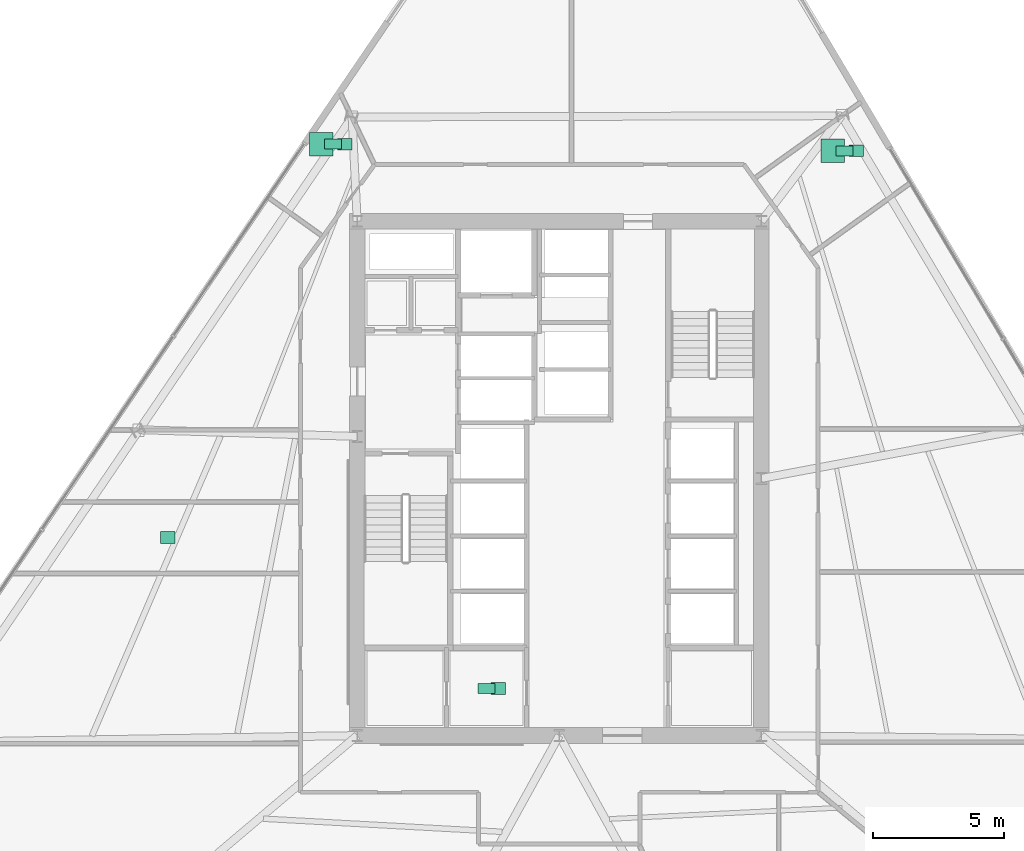
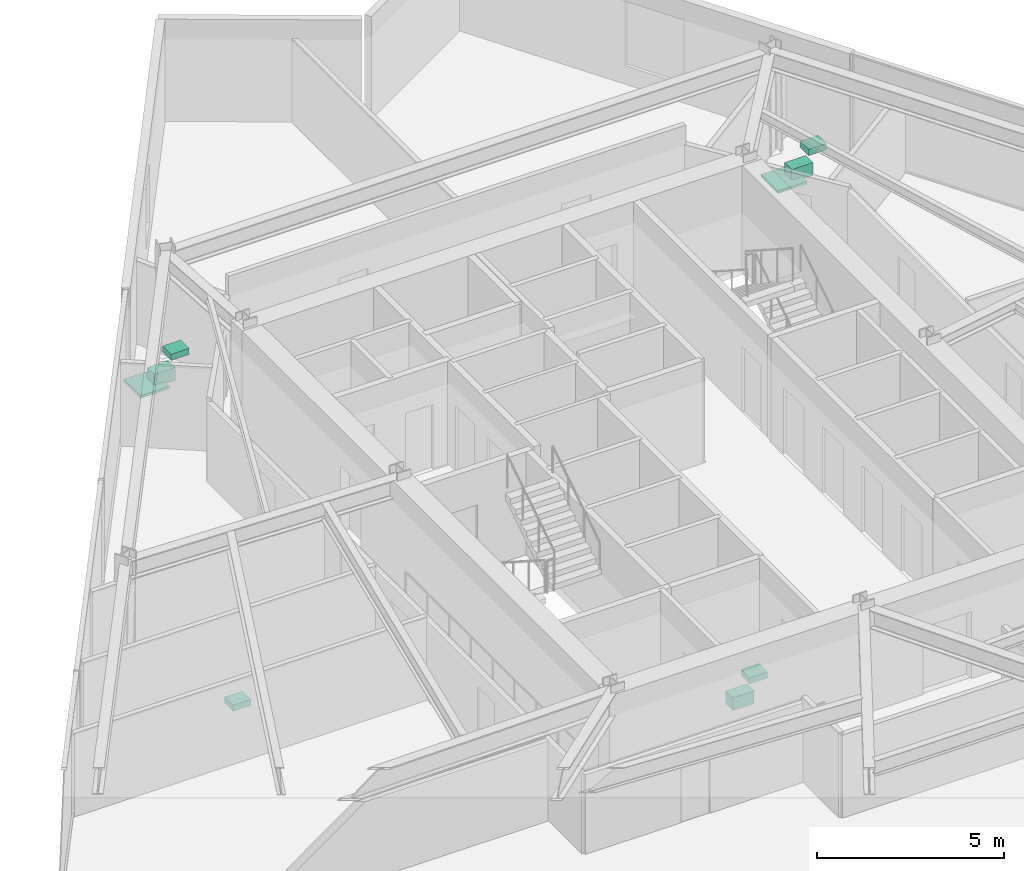
# One storey, part 16 of 16: 9 sanitary terminals.
"""IFC4 building model written with IfcOpenShell, lengths in metres."""

import ifcopenshell
import ifcopenshell.guid

model = None  # the IFC model being written
_history = None  # IfcOwnerHistory: only IFC2X3 demands one
_inside = {}  # id of a spatial element -> (the spatial element, [elements in it])
_under = {}  # id of a project, library or spatial element -> (it, [spatial elements below it])
_declared = {}  # id of a project -> (the project, [libraries it declares])
_typed = {}  # id of a type object -> (the type object, [elements of that type])
_made_of = {}  # id of a material, layer set ... -> (it, [elements and type objects made of it])


def new_model(schema):
    """Start an empty IFC model of exactly this schema.

    Asked for "IFC4X3", IfcOpenShell would pick the latest addendum, in which some entities
    have other attributes; the version numbers below select the first issue.
    IFC2X3 requires an IfcOwnerHistory on every rooted entity: one is made here for all.
    """
    global model, _history
    if schema == "IFC4X3":
        model = ifcopenshell.file(schema_version=(4, 3, 0, 0))
    else:
        model = ifcopenshell.file(schema=schema)
    _inside.clear()
    _under.clear()
    _declared.clear()
    _typed.clear()
    _made_of.clear()
    _history = None
    if model.schema == "IFC2X3":
        org = make("IfcOrganization", Name="unknown")
        user = make(
            "IfcPersonAndOrganization",
            ThePerson=make("IfcPerson", FamilyName="unknown"),
            TheOrganization=org,
        )
        app = make(
            "IfcApplication",
            ApplicationDeveloper=org,
            Version="unknown",
            ApplicationFullName="unknown",
            ApplicationIdentifier="unknown",
        )
        _history = make(
            "IfcOwnerHistory",
            OwningUser=user,
            OwningApplication=app,
            ChangeAction="ADDED",
            CreationDate=0,
        )
    return model


def make(cls, **values):
    """One entity of the class cls with the attributes given. An attribute that is None is left unset."""
    return model.create_entity(
        cls, **{name: value for name, value in values.items() if value is not None}
    )


def rooted(cls, **values):
    """An entity with a GlobalId (a new one), such as an element, a storey or a relation."""
    return make(cls, GlobalId=ifcopenshell.guid.new(), OwnerHistory=_history, **values)


def si_unit(unit_type, name, prefix=None):
    """IfcSIUnit, for example si_unit("LENGTHUNIT", "METRE", prefix="MILLI")."""
    return make("IfcSIUnit", UnitType=unit_type, Prefix=prefix, Name=name)


def assignment(units):
    """IfcUnitAssignment: the units of a project."""
    return None if units is None else make("IfcUnitAssignment", Units=units)


def point(xyz):
    """IfcCartesianPoint."""
    return None if xyz is None else make("IfcCartesianPoint", Coordinates=xyz)


def direction(xyz):
    """IfcDirection."""
    return None if xyz is None else make("IfcDirection", DirectionRatios=xyz)


def frame(location, z_axis=None, x_axis=None):
    """IfcAxis2Placement3D, a coordinate frame: its origin and axes. An axis left out is left unset."""
    return make(
        "IfcAxis2Placement3D",
        Location=point(location),
        Axis=direction(z_axis),
        RefDirection=direction(x_axis),
    )


def frame_2d(location, x_axis=None):
    """IfcAxis2Placement2D, a coordinate frame in the plane: its origin and x axis."""
    return make(
        "IfcAxis2Placement2D", Location=point(location), RefDirection=direction(x_axis)
    )


def origin():
    """The frame at (0, 0, 0) with its axes left unset."""
    return frame((0.0, 0.0, 0.0))


def origin_2d():
    """The frame at (0, 0) in the plane with its x axis left unset."""
    return frame_2d((0.0, 0.0))


def place(relative_to, where):
    """IfcLocalPlacement: puts the frame where relative to a parent placement (None: the world)."""
    return make(
        "IfcLocalPlacement", PlacementRelTo=relative_to, RelativePlacement=where
    )


def context(
    kind, dimensions, precision=None, world=None, true_north=None, identifier=None
):
    """IfcGeometricRepresentationContext, for example the 3D "Model" context."""
    return make(
        "IfcGeometricRepresentationContext",
        ContextIdentifier=identifier,
        ContextType=kind,
        CoordinateSpaceDimension=dimensions,
        Precision=precision,
        WorldCoordinateSystem=world,
        TrueNorth=true_north,
    )


def subcontext(parent, identifier, kind, view, scale=None):
    """IfcGeometricRepresentationSubContext, for example "Body" below "Model"."""
    return make(
        "IfcGeometricRepresentationSubContext",
        ContextIdentifier=identifier,
        ContextType=kind,
        ParentContext=parent,
        TargetScale=scale,
        TargetView=view,
    )


def project(units=None, contexts=None):
    """IfcProject with its units and contexts."""
    return rooted(
        "IfcProject",
        Name="project",
        RepresentationContexts=contexts,
        UnitsInContext=assignment(units),
    )


def spatial(cls, under=None, at=None, **own):
    """A site, building, storey or space (cls), placed at a placement, below another one or the project."""
    s = rooted(cls, ObjectPlacement=at, **own)
    if under is not None:
        _under.setdefault(under.id(), (under, []))[1].append(s)
    return s


def profile(cls, at=None, kind="AREA", **sizes):
    """A parametric profile (cls). Its sizes go by their IFC names, for example OverallWidth=200.0."""
    return make(cls, ProfileType=kind, Position=at, **sizes)


def rectangle(**sizes):
    """IfcRectangleProfileDef."""
    return profile("IfcRectangleProfileDef", **sizes)


def extrude(swept, where, along, depth):
    """IfcExtrudedAreaSolid: the profile swept, set in the frame where, extruded along a direction by depth."""
    return make(
        "IfcExtrudedAreaSolid",
        SweptArea=swept,
        Position=where,
        ExtrudedDirection=direction(along),
        Depth=depth,
    )


def shape(context_of_items, identifier, shape_type, items):
    """IfcShapeRepresentation: the items that make up one representation, for example the "Body"."""
    return make(
        "IfcShapeRepresentation",
        ContextOfItems=context_of_items,
        RepresentationIdentifier=identifier,
        RepresentationType=shape_type,
        Items=items,
    )


def material(Name=None, Category=None):
    """IfcMaterial."""
    return make("IfcMaterial", Name=Name, Category=Category)


def made_of(thing, what):
    """Note that an element or type object is made of a material, layer set ...; save() writes the relation."""
    if what is not None:
        _made_of.setdefault(what.id(), (what, []))[1].append(thing)
    return thing


def type_object(cls, material=None, **own):
    """A type object (cls), such as IfcWallType, which elements share."""
    return made_of(rooted(cls, **own), material)


def element(
    cls,
    number,
    at=None,
    inside=None,
    cuts=None,
    type_object=None,
    material=None,
    context=None,
    identifier="Body",
    shape_type=None,
    held_by="IfcProductDefinitionShape",
    body=None,
    shapes=None,
    **own,
):
    """One element of the class cls, such as IfcWall. Its Tag is "e" and its number.

    at: its placement. inside: the storey or other place that contains it. cuts: it is an
    opening in that element (IfcRelVoidsElement). A single representation is given by context,
    identifier, shape_type and body (its items); several are given by shapes. held_by: the class
    of the entity that holds the representations. save() writes the other relations.
    """
    e = rooted(cls, Tag="e%d" % number, ObjectPlacement=at, **own)
    if body is not None:
        shapes = [shape(context, identifier, shape_type, body)]
    if shapes is not None:
        e.Representation = make(held_by, Representations=shapes)
    if inside is not None:
        _inside.setdefault(inside.id(), (inside, []))[1].append(e)
    if cuts is not None:
        rooted(
            "IfcRelVoidsElement", RelatingBuildingElement=cuts, RelatedOpeningElement=e
        )
    if type_object is not None:
        _typed.setdefault(type_object.id(), (type_object, []))[1].append(e)
    return made_of(e, material)


def aggregate(whole, parts):
    """IfcRelAggregates: a whole, such as a stair, and the parts it consists of."""
    return rooted("IfcRelAggregates", RelatingObject=whole, RelatedObjects=parts)


def save(model, path):
    """Write the relations noted so far, then the file.

    IfcRelAggregates (storeys below a building ...), IfcRelContainedInSpatialStructure (elements
    in a storey), IfcRelDefinesByType, IfcRelAssociatesMaterial and IfcRelDeclares: one each for
    every whole, place, type object, material and project.
    """
    for whole, parts in _under.values():
        aggregate(whole, parts)
    for where, things in _inside.values():
        rooted(
            "IfcRelContainedInSpatialStructure",
            RelatedElements=things,
            RelatingStructure=where,
        )
    for kind, things in _typed.values():
        rooted("IfcRelDefinesByType", RelatedObjects=things, RelatingType=kind)
    for what, things in _made_of.values():
        rooted("IfcRelAssociatesMaterial", RelatedObjects=things, RelatingMaterial=what)
    for by, libraries in _declared.values():
        rooted("IfcRelDeclares", RelatingContext=by, RelatedDefinitions=libraries)
    model.write(path)


model = new_model("IFC4")

# Units and contexts
model_context = context("Model", 3, precision=1e-05, world=origin(), true_north=direction((0.0, 1.0)))
body_context = subcontext(model_context, "Body", "Model", "MODEL_VIEW")
ifc_project = project(units=[si_unit("LENGTHUNIT", "METRE"), si_unit("AREAUNIT", "SQUARE_METRE"), si_unit("VOLUMEUNIT", "CUBIC_METRE"), si_unit("PLANEANGLEUNIT", "RADIAN"), si_unit("MASSUNIT", "GRAM", prefix="KILO")], contexts=[model_context])

# Site, building, storey
site_placement = place(None, origin())
site = spatial("IfcSite", under=ifc_project, at=site_placement, CompositionType="ELEMENT")
building_placement = place(site_placement, origin())
building = spatial("IfcBuilding", under=site, at=building_placement, Name="Savorim Split Tower", CompositionType="ELEMENT")
storey_placement = place(building_placement, frame((0.0, 0.0, 33.60009765625)))
storey = spatial("IfcBuildingStorey", under=building, at=storey_placement, Name="L08", CompositionType="ELEMENT", Elevation=33.60009765625)

# Sanitary terminals
ifc_material = material(Name="Vitreous China Sanitaryware")
sanitary_terminal_type_1 = type_object("IfcSanitaryTerminalType", Name="SAN-SHW-900", PredefinedType="SHOWER", material=ifc_material)
for number, where, z_axis, x_axis, name in (
    (1, (10.41748046875, 12.88818359375, -0.000244140625), (0.0, 0.0, 1.0), (1.0, 0.0, 0.0), "L08 Shared Bathroom Shower"),
    (2, (-9.070068359375, 13.13916015625, -0.000244140625), (0.0, 0.0, 1.0), (1.0, 0.0, 0.0), "L08 Shared Bathroom Shower"),
):
    element("IfcSanitaryTerminal", number, at=place(storey_placement, frame(where, z_axis=z_axis, x_axis=x_axis)), inside=storey, type_object=sanitary_terminal_type_1, Name=name, PredefinedType="SHOWER", context=body_context, shape_type="SweptSolid", body=[
        extrude(rectangle(XDim=0.89990234375, YDim=0.89990234375, at=origin_2d()), origin(), (0.0, 0.0, 1.0), 0.080078125),
    ])
sanitary_terminal_type_2 = type_object("IfcSanitaryTerminalType", Name="SAN-WC-PAN", PredefinedType="TOILETPAN", material=ifc_material)
for number, where, z_axis, x_axis, name in (
    (3, (-2.77490234375, -7.60009765625, 0.0), (0.0, 0.0, 1.0), (1.0, 0.0, 0.0), "L08 Accessible WC WC Pan"),
    (4, (10.867431640625, 12.88818359375, 0.0), (0.0, 0.0, 1.0), (1.0, 0.0, 0.0), "L08 Shared Bathroom WC Pan"),
    (5, (-8.6201171875, 13.13916015625, 0.0), (0.0, 0.0, 1.0), (1.0, 0.0, 0.0), "L08 Shared Bathroom WC Pan"),
):
    element("IfcSanitaryTerminal", number, at=place(storey_placement, frame(where, z_axis=z_axis, x_axis=x_axis)), inside=storey, type_object=sanitary_terminal_type_2, Name=name, PredefinedType="TOILETPAN", context=body_context, shape_type="SweptSolid", body=[
        extrude(rectangle(XDim=0.64990234375, YDim=0.3798828125, at=origin_2d()), origin(), (0.0, 0.0, 1.0), 0.419921875),
    ])
sanitary_terminal_type_3 = type_object("IfcSanitaryTerminalType", Name="SAN-WHB-550", PredefinedType="WASHHANDBASIN", material=ifc_material)
for number, where, z_axis, x_axis, name in (
    (6, (-2.324951171875, -7.60009765625, 0.7197265625), (0.0, 0.0, 1.0), (1.0, 0.0, 0.0), "L08 Accessible WC Washhand Basin"),
    (7, (-14.91943359375, -1.854248046875, 0.75), (0.0, 0.0, 1.0), (1.0, 0.0, 0.0), "L08 Shared Kitchen Utility Sink"),
    (8, (11.3173828125, 12.88818359375, 0.7197265625), (0.0, 0.0, 1.0), (1.0, 0.0, 0.0), "L08 Shared Bathroom Washhand Basin"),
    (9, (-8.170166015625, 13.13916015625, 0.7197265625), (0.0, 0.0, 1.0), (1.0, 0.0, 0.0), "L08 Shared Bathroom Washhand Basin"),
):
    element("IfcSanitaryTerminal", number, at=place(storey_placement, frame(where, z_axis=z_axis, x_axis=x_axis)), inside=storey, type_object=sanitary_terminal_type_3, Name=name, PredefinedType="WASHHANDBASIN", context=body_context, shape_type="SweptSolid", body=[
        extrude(rectangle(XDim=0.550048828125, YDim=0.449951171875, at=origin_2d()), origin(), (0.0, 0.0, 1.0), 0.199951171875),
    ])

save(model, "model.ifc")
